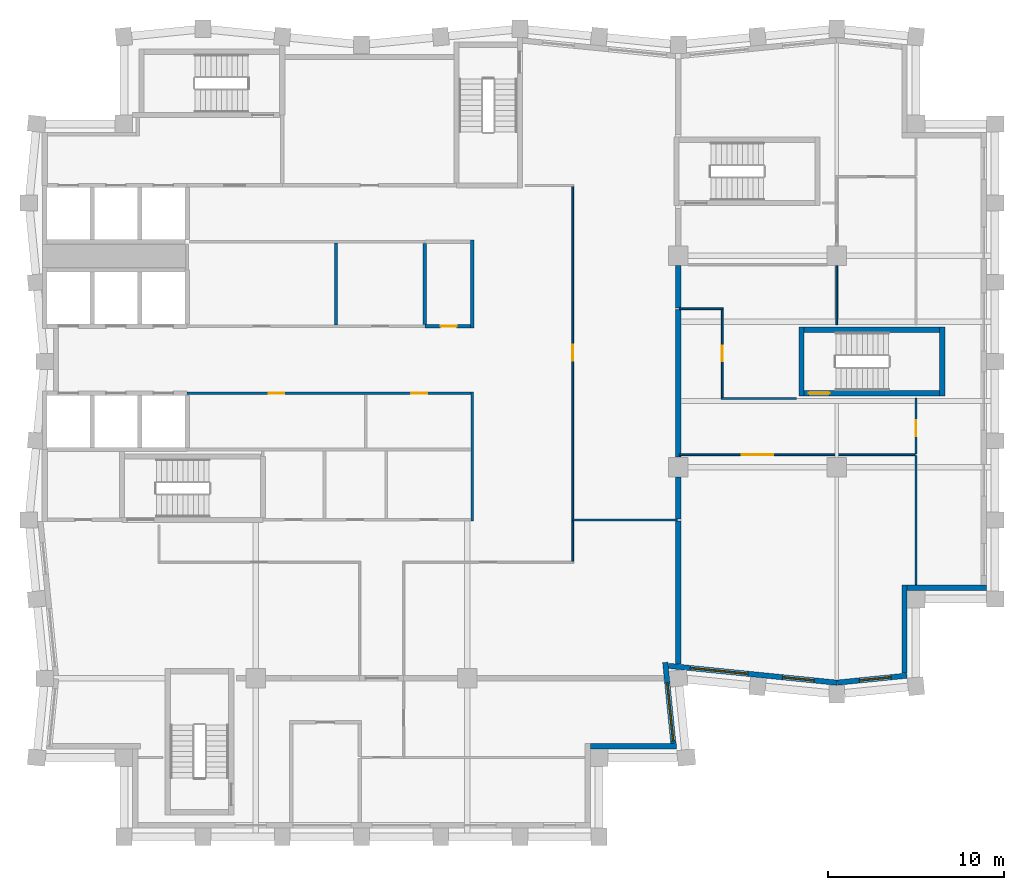
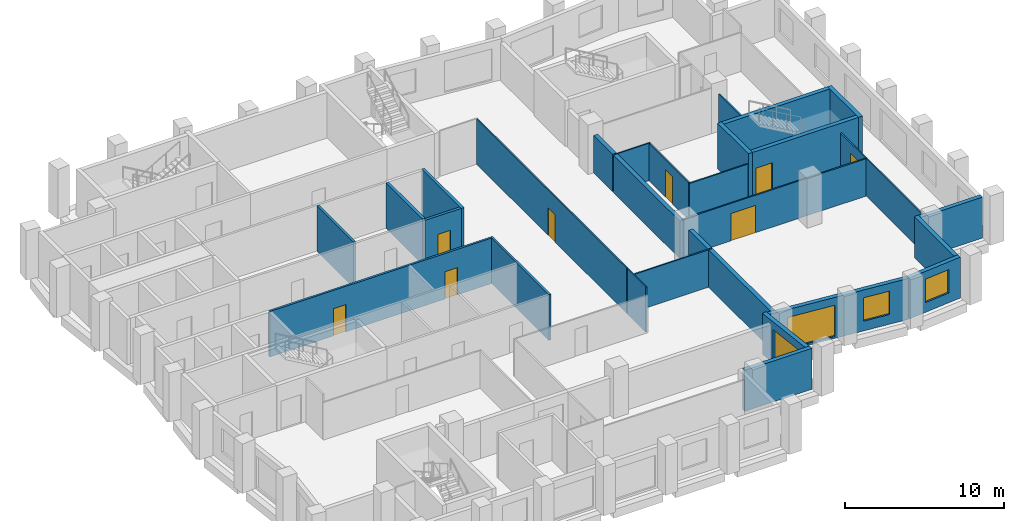
# One storey, part 4 of 8: 30 walls, 8 doors, 4 windows, 12 openings.
"""IFC4 building model written with IfcOpenShell, lengths in metres."""

from ifc_helpers import new_model, si_unit, direction, frame, frame_2d, origin, place, context, subcontext, project, spatial, rectangle, extrude, material, layer, layer_set, type_object, element, fill, save


model = new_model("IFC4")

# Units and contexts
model_context = context("Model", 3, precision=1e-05, world=origin(), true_north=direction((0.0, 1.0)))
body_context = subcontext(model_context, "Body", "Model", "MODEL_VIEW")
ifc_project = project(units=[si_unit("LENGTHUNIT", "METRE"), si_unit("AREAUNIT", "SQUARE_METRE"), si_unit("VOLUMEUNIT", "CUBIC_METRE"), si_unit("PLANEANGLEUNIT", "RADIAN"), si_unit("MASSUNIT", "GRAM", prefix="KILO")], contexts=[model_context])

# Site, building, storey
site_placement = place(None, origin())
site = spatial("IfcSite", under=ifc_project, at=site_placement, CompositionType="ELEMENT")
building_placement = place(site_placement, origin())
building = spatial("IfcBuilding", under=site, at=building_placement, Name="Brondeck Convention Tower", CompositionType="ELEMENT")
storey_placement = place(building_placement, frame((0.0, 0.0, 233.0)))
storey = spatial("IfcBuildingStorey", under=building, at=storey_placement, Name="L57", CompositionType="ELEMENT", Elevation=233.0)

# Walls
ifc_material_1 = material(Name="Concrete compartment wall C30/37", Category="concrete")
ifc_layer_1 = layer(ifc_material_1, 0.300048828125)
ifc_layer_set_1 = layer_set([ifc_layer_1], Name="Compartment wall 300")
wall_type_1 = type_object("IfcWallType", Name="Compartment wall 300", PredefinedType="PARTITIONING", material=ifc_layer_set_1)
wall_1_placement = place(storey_placement, frame((36.0, 27.823974609375, 0.0), z_axis=(0.0, 0.0, 1.0), x_axis=(0.0, 1.0, 0.0)))
element("IfcWall", 1, at=wall_1_placement, inside=storey, type_object=wall_type_1, Name="FLR-L57-W021", PredefinedType="PARTITIONING", context=body_context, shape_type="SweptSolid", body=[
    extrude(rectangle(XDim=8.12109375, YDim=0.300048828125, at=frame_2d((4.060546875, 0.0))), origin(), (0.0, 0.0, 1.0), 2.8798828125),
])
wall_2_placement = place(storey_placement, frame((36.0, 36.044921875, 0.0), z_axis=(0.0, 0.0, 1.0), x_axis=(0.0, 1.0, 0.0)))
element("IfcWall", 2, at=wall_2_placement, inside=storey, type_object=wall_type_1, Name="FLR-L57-W030", PredefinedType="PARTITIONING", context=body_context, shape_type="SweptSolid", body=[
    extrude(rectangle(XDim=2.400146484375, YDim=0.300048828125, at=frame_2d((1.2001953125, 0.0))), origin(), (0.0, 0.0, 1.0), 2.8798828125),
])
wall_3_placement = place(storey_placement, frame((36.0, 39.570068359375, 0.0), z_axis=(0.0, 0.0, 1.0), x_axis=(0.0, 1.0, 0.0)))
element("IfcWall", 3, at=wall_3_placement, inside=storey, type_object=wall_type_1, Name="FLR-L57-W032", PredefinedType="PARTITIONING", context=body_context, shape_type="SweptSolid", body=[
    extrude(rectangle(XDim=8.3798828125, YDim=0.300048828125, at=frame_2d((4.18994140625, 0.0))), origin(), (0.0, 0.0, 1.0), 2.8798828125),
])
wall_4_placement = place(storey_placement, frame((36.0, 48.050048828125, 0.0), z_axis=(0.0, 0.0, 1.0), x_axis=(0.0, 1.0, 0.0)))
element("IfcWall", 4, at=wall_4_placement, inside=storey, type_object=wall_type_1, Name="FLR-L57-W038", PredefinedType="PARTITIONING", context=body_context, shape_type="SweptSolid", body=[
    extrude(rectangle(XDim=2.39501953125, YDim=0.300048828125, at=frame_2d((1.197509765625, 0.0))), origin(), (0.0, 0.0, 1.0), 2.8798828125),
])
ifc_material_2 = material(Name="Concrete C50/60", Category="concrete")
ifc_layer_2 = layer(ifc_material_2, 0.199951171875)
ifc_layer_set_2 = layer_set([ifc_layer_2], Name="Core beam-seat wall 200 Concrete C50/60")
wall_type_2 = type_object("IfcWallType", Name="Core beam-seat wall 200 Concrete C50/60", PredefinedType="SHEAR", material=ifc_layer_set_2)
wall_5_placement = place(storey_placement, frame((24.300048828125, 46.89990234375, 0.0), z_axis=(0.0, 0.0, 1.0), x_axis=(0.0, 1.0, 0.0)))
element("IfcWall", 5, at=wall_5_placement, inside=storey, type_object=wall_type_2, Name="L57 core wall", PredefinedType="SHEAR", context=body_context, shape_type="SweptSolid", body=[
    extrude(rectangle(XDim=5.0, YDim=0.199951171875, at=frame_2d((2.5, 0.0))), origin(), (0.0, 0.0, 1.0), 3.5),
])

# Wall, openings, doors
ifc_material_3 = material(Name="Fire-rated gypsum board partition")
ifc_layer_3 = layer(ifc_material_3, 0.14990234375)
ifc_layer_set_3 = layer_set([ifc_layer_3], Name="Core partition 150 EI 60")
wall_type_3 = type_object("IfcWallType", Name="Core partition 150 EI 60", PredefinedType="PARTITIONING", material=ifc_layer_set_3)
wall_6_placement = place(storey_placement, frame((8.10009765625, 43.199951171875, 0.0), z_axis=(0.0, 0.0, 1.0), x_axis=(1.0, 0.0, 0.0)))
wall_6 = element("IfcWall", 6, at=wall_6_placement, inside=storey, type_object=wall_type_3, Name="L57 core wall", PredefinedType="PARTITIONING", context=body_context, shape_type="SweptSolid", body=[
    extrude(rectangle(XDim=16.125, YDim=0.14990234375, at=frame_2d((8.0625, 0.0))), origin(), (0.0, 0.0, 1.0), 3.5),
])
opening_1_placement = place(wall_6_placement, frame((4.625, 0.0, 0.0)))
opening_1 = element("IfcOpeningElement", 7, at=opening_1_placement, cuts=wall_6, Name="Opening C31-09", PredefinedType="OPENING", context=body_context, shape_type="SweptSolid", body=[
    extrude(rectangle(XDim=0.89990234375, YDim=2.10009765625, at=frame_2d((0.449951171875, 1.050048828125))), frame((0.0, 0.0849609375, 0.0), z_axis=(0.0, -1.0, 0.0), x_axis=(1.0, 0.0, 0.0)), (0.0, 0.0, 1.0), 0.169921875),
])
opening_2_placement = place(wall_6_placement, frame((12.72509765625, 0.0, 0.0)))
opening_2 = element("IfcOpeningElement", 8, at=opening_2_placement, cuts=wall_6, Name="Opening C31-10", PredefinedType="OPENING", context=body_context, shape_type="SweptSolid", body=[
    extrude(rectangle(XDim=0.89990234375, YDim=2.10009765625, at=frame_2d((0.449951171875, 1.050048828125))), frame((0.0, 0.0849609375, 0.0), z_axis=(0.0, -1.0, 0.0), x_axis=(1.0, 0.0, 0.0)), (0.0, 0.0, 1.0), 0.169921875),
])
ifc_material_4 = material(Name="Steel fire door", Category="steel")
door_type_1 = type_object("IfcDoorType", Name="Room door 900x2100 EI 60", OperationType="NOTDEFINED", PredefinedType="DOOR", material=ifc_material_4)
door_1_placement = place(opening_1_placement, origin())
door_1 = element("IfcDoor", 9, at=door_1_placement, inside=storey, type_object=door_type_1, Name="L57 Room door FZ-S-8.1-1", OperationType="SINGLE_SWING_RIGHT", OverallHeight=2.10009765625, OverallWidth=0.89990234375, PredefinedType="DOOR", context=body_context, shape_type="SweptSolid", body=[
    extrude(rectangle(XDim=0.89990234375, YDim=2.10009765625, at=frame_2d((0.449951171875, 1.050048828125))), frame((0.0, 0.02490234375, 0.0), z_axis=(0.0, -1.0, 0.0), x_axis=(1.0, 0.0, 0.0)), (0.0, 0.0, 1.0), 0.050048828125),
])
fill(opening_1, door_1)
door_2_placement = place(opening_2_placement, origin())
door_2 = element("IfcDoor", 10, at=door_2_placement, inside=storey, type_object=door_type_1, Name="L57 Room door FZ-S-8.1-2", OperationType="SINGLE_SWING_LEFT", OverallHeight=2.10009765625, OverallWidth=0.89990234375, PredefinedType="DOOR", context=body_context, shape_type="SweptSolid", body=[
    extrude(rectangle(XDim=0.89990234375, YDim=2.10009765625, at=frame_2d((0.449951171875, 1.050048828125))), frame((0.0, 0.02490234375, 0.0), z_axis=(0.0, -1.0, 0.0), x_axis=(1.0, 0.0, 0.0)), (0.0, 0.0, 1.0), 0.050048828125),
])
fill(opening_2, door_2)

# Walls
wall_7_placement = place(storey_placement, frame((16.550048828125, 47.074951171875, 0.0), z_axis=(0.0, 0.0, 1.0), x_axis=(0.0, 1.0, 0.0)))
element("IfcWall", 11, at=wall_7_placement, inside=storey, type_object=wall_type_3, Name="L57 core wall", PredefinedType="PARTITIONING", context=body_context, shape_type="SweptSolid", body=[
    extrude(rectangle(XDim=4.650146484375, YDim=0.14990234375, at=frame_2d((2.3251953125, 0.0))), origin(), (0.0, 0.0, 1.0), 3.5),
])
wall_8_placement = place(storey_placement, frame((24.300048828125, 35.925048828125, 0.0), z_axis=(0.0, 0.0, 1.0), x_axis=(0.0, 1.0, 0.0)))
element("IfcWall", 12, at=wall_8_placement, inside=storey, type_object=wall_type_3, Name="L57 core wall", PredefinedType="PARTITIONING", context=body_context, shape_type="SweptSolid", body=[
    extrude(rectangle(XDim=7.349853515625, YDim=0.14990234375, at=frame_2d((3.6748046875, 0.0))), origin(), (0.0, 0.0, 1.0), 3.5),
])
ifc_material_5 = material(Name="Precast concrete C50/60 bronze finish", Category="concrete")
ifc_layer_4 = layer(ifc_material_5, 0.070068359375, Name="Bronze precast facing")
ifc_material_6 = material(Name="Mineral wool")
ifc_layer_5 = layer(ifc_material_6, 0.159912109375, Name="Insulation")
ifc_material_7 = material(Name="Concrete C35/45", Category="concrete")
ifc_layer_6 = layer(ifc_material_7, 0.070068359375, Name="Backing")
ifc_layer_set_4 = layer_set([ifc_layer_4, ifc_layer_5, ifc_layer_6], Name="External infill wall, precast concrete C50/60 bronze facing")
wall_type_4 = type_object("IfcWallType", Name="External infill wall, precast concrete C50/60 bronze facing", PredefinedType="SOLIDWALL", material=ifc_layer_set_4)
wall_9_placement = place(storey_placement, frame((35.8974609375, 23.14990234375, 0.0), z_axis=(0.0, 0.0, 1.0), x_axis=(-1.0, 0.0, 0.0)))
element("IfcWall", 13, at=wall_9_placement, inside=storey, type_object=wall_type_4, Name="ENV-EW-L57-P2-NC-SEB18-02", PredefinedType="SOLIDWALL", context=body_context, shape_type="SweptSolid", body=[
    extrude(rectangle(XDim=4.8974609375, YDim=0.300048828125, at=frame_2d((2.44873046875, 0.0))), origin(), (0.0, 0.0, 1.0), 3.14990234375),
])

# Wall, opening, window
wall_10_placement = place(storey_placement, frame((35.255859375, 27.908203125, 0.0), z_axis=(0.0, 0.0, 1.0), x_axis=(0.099535070904, -0.995034054523, 0.0)))
wall_10 = element("IfcWall", 14, at=wall_10_placement, inside=storey, type_object=wall_type_4, Name="ENV-EW-L57-P2-B-E-00", PredefinedType="SOLIDWALL", context=body_context, shape_type="SweptSolid", body=[
    extrude(rectangle(XDim=4.6259765625, YDim=0.300048828125, at=frame_2d((2.31298828125, 0.0))), origin(), (0.0, 0.0, 1.0), 3.14990234375),
])
opening_3_placement = place(wall_10_placement, frame((1.176025390625, 0.0, 0.14990234375)))
opening_3 = element("IfcOpeningElement", 15, at=opening_3_placement, cuts=wall_10, Name="Opening W9", PredefinedType="OPENING", context=body_context, shape_type="SweptSolid", body=[
    extrude(rectangle(XDim=3.300048828125, YDim=2.39990234375, at=frame_2d((1.64990234375, 1.199951171875))), frame((0.0, 0.159912109375, 0.0), z_axis=(0.0, -1.0, 0.0), x_axis=(1.0, 0.0, 0.0)), (0.0, 0.0, 1.0), 0.320068359375),
])
ifc_material_8 = material(Name="Bronze tinted double glazing", Category="glass")
window_type_1 = type_object("IfcWindowType", Name="Glazed flute window, bronze tinted", PartitioningType="SINGLE_PANEL", PredefinedType="WINDOW", material=ifc_material_8)
window_1_placement = place(opening_3_placement, origin())
window_1 = element("IfcWindow", 16, at=window_1_placement, inside=storey, type_object=window_type_1, Name="ENV-WN-L57-P2-B-E-00", OverallHeight=2.39990234375, OverallWidth=3.300048828125, PartitioningType="SINGLE_PANEL", PredefinedType="WINDOW", context=body_context, shape_type="SweptSolid", body=[
    extrude(rectangle(XDim=3.300048828125, YDim=2.39990234375, at=frame_2d((1.64990234375, 1.199951171875))), frame((0.0, 0.030029296875, 0.0), z_axis=(0.0, -1.0, 0.0), x_axis=(1.0, 0.0, 0.0)), (0.0, 0.0, 1.0), 0.06005859375),
])
fill(opening_3, window_1)

# Wall, openings, windows
wall_11_placement = place(storey_placement, frame((45.014892578125, 26.751708984375, 0.0), z_axis=(0.0, 0.0, 1.0), x_axis=(-0.9950379439, 0.099496181828, 0.0)))
wall_11 = element("IfcWall", 17, at=wall_11_placement, inside=storey, type_object=wall_type_4, Name="ENV-EW-L57-P2-A-S-00", PredefinedType="SOLIDWALL", context=body_context, shape_type="SweptSolid", body=[
    extrude(rectangle(XDim=9.621337890625, YDim=0.300048828125, at=frame_2d((4.810546875, 0.0))), origin(), (0.0, 0.0, 1.0), 3.14990234375),
])
opening_4_placement = place(wall_11_placement, frame((1.311279296875, 0.0, 0.75)))
opening_4 = element("IfcOpeningElement", 18, at=opening_4_placement, cuts=wall_11, Name="Opening W10", PredefinedType="OPENING", context=body_context, shape_type="SweptSolid", body=[
    extrude(rectangle(XDim=1.800048828125, YDim=1.800048828125, at=frame_2d((0.89990234375, 0.89990234375))), frame((0.0, 0.159912109375, 0.0), z_axis=(0.0, -1.0, 0.0), x_axis=(1.0, 0.0, 0.0)), (0.0, 0.0, 1.0), 0.320068359375),
])
opening_5_placement = place(wall_11_placement, frame((5.08349609375, 0.0, 0.14990234375)))
opening_5 = element("IfcOpeningElement", 19, at=opening_5_placement, cuts=wall_11, Name="Opening W9", PredefinedType="OPENING", context=body_context, shape_type="SweptSolid", body=[
    extrude(rectangle(XDim=3.300048828125, YDim=2.39990234375, at=frame_2d((1.64990234375, 1.199951171875))), frame((0.0, 0.159912109375, 0.0), z_axis=(0.0, -1.0, 0.0), x_axis=(1.0, 0.0, 0.0)), (0.0, 0.0, 1.0), 0.320068359375),
])
window_2_placement = place(opening_5_placement, origin())
window_2 = element("IfcWindow", 20, at=window_2_placement, inside=storey, type_object=window_type_1, Name="ENV-WN-L57-P2-A-S-00", OverallHeight=2.39990234375, OverallWidth=3.300048828125, PartitioningType="SINGLE_PANEL", PredefinedType="WINDOW", context=body_context, shape_type="SweptSolid", body=[
    extrude(rectangle(XDim=3.300048828125, YDim=2.39990234375, at=frame_2d((1.64990234375, 1.199951171875))), frame((0.0, 0.030029296875, 0.0), z_axis=(0.0, -1.0, 0.0), x_axis=(1.0, 0.0, 0.0)), (0.0, 0.0, 1.0), 0.06005859375),
])
fill(opening_5, window_2)
window_type_2 = type_object("IfcWindowType", Name="Punched window, bronze tinted", PartitioningType="SINGLE_PANEL", PredefinedType="WINDOW", material=ifc_material_8)
window_3_placement = place(opening_4_placement, origin())
window_3 = element("IfcWindow", 21, at=window_3_placement, inside=storey, type_object=window_type_2, Name="ENV-WN-L57-P2-A-S-01", OverallHeight=1.800048828125, OverallWidth=1.800048828125, PartitioningType="SINGLE_PANEL", PredefinedType="WINDOW", context=body_context, shape_type="SweptSolid", body=[
    extrude(rectangle(XDim=1.800048828125, YDim=1.800048828125, at=frame_2d((0.89990234375, 0.89990234375))), frame((0.0, 0.030029296875, 0.0), z_axis=(0.0, -1.0, 0.0), x_axis=(1.0, 0.0, 0.0)), (0.0, 0.0, 1.0), 0.06005859375),
])
fill(opening_4, window_3)

# Wall, opening, window
wall_12_placement = place(storey_placement, frame((48.985107421875, 27.151611328125, 0.0), z_axis=(0.0, 0.0, 1.0), x_axis=(-0.995037798293, -0.099497638, 0.0)))
wall_12 = element("IfcWall", 22, at=wall_12_placement, inside=storey, type_object=wall_type_4, Name="ENV-EW-L57-P2-A-S-02", PredefinedType="SOLIDWALL", context=body_context, shape_type="SweptSolid", body=[
    extrude(rectangle(XDim=3.97509765625, YDim=0.300048828125, at=frame_2d((1.987548828125, 0.0))), origin(), (0.0, 0.0, 1.0), 3.14990234375),
])
opening_6_placement = place(wall_12_placement, frame((0.90869140625, 0.0, 0.75)))
opening_6 = element("IfcOpeningElement", 23, at=opening_6_placement, cuts=wall_12, Name="Opening W10", PredefinedType="OPENING", context=body_context, shape_type="SweptSolid", body=[
    extrude(rectangle(XDim=1.800048828125, YDim=1.800048828125, at=frame_2d((0.89990234375, 0.89990234375))), frame((0.0, 0.159912109375, 0.0), z_axis=(0.0, -1.0, 0.0), x_axis=(1.0, 0.0, 0.0)), (0.0, 0.0, 1.0), 0.320068359375),
])
window_4_placement = place(opening_6_placement, origin())
window_4 = element("IfcWindow", 24, at=window_4_placement, inside=storey, type_object=window_type_2, Name="ENV-WN-L57-P2-A-S-02", OverallHeight=1.800048828125, OverallWidth=1.800048828125, PartitioningType="SINGLE_PANEL", PredefinedType="WINDOW", context=body_context, shape_type="SweptSolid", body=[
    extrude(rectangle(XDim=1.800048828125, YDim=1.800048828125, at=frame_2d((0.89990234375, 0.89990234375))), frame((0.0, 0.030029296875, 0.0), z_axis=(0.0, -1.0, 0.0), x_axis=(1.0, 0.0, 0.0)), (0.0, 0.0, 1.0), 0.06005859375),
])
fill(opening_6, window_4)

# Walls
wall_13_placement = place(storey_placement, frame((48.85009765625, 32.300048828125, 0.0), z_axis=(0.0, 0.0, 1.0), x_axis=(0.0, -1.0, 0.0)))
element("IfcWall", 25, at=wall_13_placement, inside=storey, type_object=wall_type_4, Name="ENV-EW-L57-P2-NC-SEA54-01", PredefinedType="SOLIDWALL", context=body_context, shape_type="SweptSolid", body=[
    extrude(rectangle(XDim=5.009765625, YDim=0.300048828125, at=frame_2d((2.5048828125, 0.0))), origin(), (0.0, 0.0, 1.0), 3.14990234375),
])
wall_14_placement = place(storey_placement, frame((53.5, 32.14990234375, 0.0), z_axis=(0.0, 0.0, 1.0), x_axis=(-1.0, 0.0, 0.0)))
element("IfcWall", 26, at=wall_14_placement, inside=storey, type_object=wall_type_4, Name="ENV-EW-L57-P2-NC-SEA54-02", PredefinedType="SOLIDWALL", context=body_context, shape_type="SweptSolid", body=[
    extrude(rectangle(XDim=4.501953125, YDim=0.300048828125, at=frame_2d((2.2509765625, 0.0))), origin(), (0.0, 0.0, 1.0), 3.14990234375),
])

# Wall, opening, door
ifc_layer_7 = layer(ifc_material_3, 0.199951171875)
ifc_layer_set_5 = layer_set([ifc_layer_7], Name="Riser wall 200 EI 120")
wall_type_5 = type_object("IfcWallType", Name="Riser wall 200 EI 120", PredefinedType="PARTITIONING", material=ifc_layer_set_5)
wall_15_placement = place(storey_placement, frame((21.60009765625, 47.0, 0.0), z_axis=(0.0, 0.0, 1.0), x_axis=(1.0, 0.0, 0.0)))
wall_15 = element("IfcWall", 27, at=wall_15_placement, inside=storey, type_object=wall_type_5, Name="L57 core wall", PredefinedType="PARTITIONING", context=body_context, shape_type="SweptSolid", body=[
    extrude(rectangle(XDim=2.599853515625, YDim=0.199951171875, at=frame_2d((1.2998046875, 0.0))), origin(), (0.0, 0.0, 1.0), 3.5),
])
opening_7_placement = place(wall_15_placement, frame((0.89990234375, 0.0, 0.0)))
opening_7 = element("IfcOpeningElement", 28, at=opening_7_placement, cuts=wall_15, Name="Opening C31-02", PredefinedType="OPENING", context=body_context, shape_type="SweptSolid", body=[
    extrude(rectangle(XDim=0.89990234375, YDim=2.10009765625, at=frame_2d((0.449951171875, 1.050048828125))), frame((0.0, 0.10986328125, 0.0), z_axis=(0.0, -1.0, 0.0), x_axis=(1.0, 0.0, 0.0)), (0.0, 0.0, 1.0), 0.219970703125),
])
door_type_2 = type_object("IfcDoorType", Name="Riser door 900x2100 EI 120", OperationType="NOTDEFINED", PredefinedType="DOOR", material=ifc_material_4)
door_3_placement = place(opening_7_placement, origin())
door_3 = element("IfcDoor", 29, at=door_3_placement, inside=storey, type_object=door_type_2, Name="L57 Riser door EN-1", OperationType="SINGLE_SWING_LEFT", OverallHeight=2.10009765625, OverallWidth=0.89990234375, PredefinedType="DOOR", context=body_context, shape_type="SweptSolid", body=[
    extrude(rectangle(XDim=0.89990234375, YDim=2.10009765625, at=frame_2d((0.449951171875, 1.050048828125))), frame((0.0, 0.02490234375, 0.0), z_axis=(0.0, -1.0, 0.0), x_axis=(1.0, 0.0, 0.0)), (0.0, 0.0, 1.0), 0.050048828125),
])
fill(opening_7, door_3)

# Walls
wall_16_placement = place(storey_placement, frame((21.60009765625, 47.10009765625, 0.0), z_axis=(0.0, 0.0, 1.0), x_axis=(0.0, 1.0, 0.0)))
element("IfcWall", 30, at=wall_16_placement, inside=storey, type_object=wall_type_5, Name="L57 core wall", PredefinedType="PARTITIONING", context=body_context, shape_type="SweptSolid", body=[
    extrude(rectangle(XDim=4.599853515625, YDim=0.199951171875, at=frame_2d((2.2998046875, 0.0))), origin(), (0.0, 0.0, 1.0), 3.5),
])
ifc_material_9 = material(Name="Gypsum board partition on steel studs", Category="steel")
ifc_layer_8 = layer(ifc_material_9, 0.10009765625)
ifc_layer_set_6 = layer_set([ifc_layer_8], Name="Room partition 100")
wall_type_6 = type_object("IfcWallType", Name="Room partition 100", PredefinedType="PARTITIONING", material=ifc_layer_set_6)
wall_17_placement = place(storey_placement, frame((49.5, 32.320068359375, 0.0), z_axis=(0.0, 0.0, 1.0), x_axis=(0.0, 1.0, 0.0)))
element("IfcWall", 31, at=wall_17_placement, inside=storey, type_object=wall_type_6, Name="FLR-L57-W023", PredefinedType="PARTITIONING", context=body_context, shape_type="SweptSolid", body=[
    extrude(rectangle(XDim=7.329833984375, YDim=0.10009765625, at=frame_2d((3.6650390625, 0.0))), origin(), (0.0, 0.0, 1.0), 2.8798828125),
])
wall_18_placement = place(storey_placement, frame((30.0, 35.945068359375, 0.0), z_axis=(0.0, 0.0, 1.0), x_axis=(0.0, -1.0, 0.0)))
element("IfcWall", 32, at=wall_18_placement, inside=storey, type_object=wall_type_6, Name="FLR-L57-W028", PredefinedType="PARTITIONING", context=body_context, shape_type="SweptSolid", body=[
    extrude(rectangle(XDim=2.295166015625, YDim=0.10009765625, at=frame_2d((1.1474609375, 0.0))), origin(), (0.0, 0.0, 1.0), 3.47998046875),
])
wall_19_placement = place(storey_placement, frame((29.949951171875, 35.9951171875, 0.0), z_axis=(0.0, 0.0, 1.0), x_axis=(1.0, 0.0, 0.0)))
element("IfcWall", 33, at=wall_19_placement, inside=storey, type_object=wall_type_6, Name="FLR-L57-W029", PredefinedType="PARTITIONING", context=body_context, shape_type="SweptSolid", body=[
    extrude(rectangle(XDim=6.0, YDim=0.10009765625, at=frame_2d((3.0, 0.0))), origin(), (0.0, 0.0, 1.0), 2.8798828125),
])

# Wall, opening, door
wall_20_placement = place(storey_placement, frame((49.449951171875, 39.699951171875, 0.0), z_axis=(0.0, 0.0, 1.0), x_axis=(-1.0, 0.0, 0.0)))
wall_20 = element("IfcWall", 34, at=wall_20_placement, inside=storey, type_object=wall_type_6, Name="FLR-L57-W031", PredefinedType="PARTITIONING", context=body_context, shape_type="SweptSolid", body=[
    extrude(rectangle(XDim=13.39990234375, YDim=0.10009765625, at=frame_2d((6.699951171875, 0.0))), origin(), (0.0, 0.0, 1.0), 2.8798828125),
])
opening_8_placement = place(wall_20_placement, frame((8.050048828125, 0.0, 0.0)))
opening_8 = element("IfcOpeningElement", 35, at=opening_8_placement, cuts=wall_20, Name="Opening OF-N-004", PredefinedType="OPENING", context=body_context, shape_type="SweptSolid", body=[
    extrude(rectangle(XDim=1.800048828125, YDim=2.10009765625, at=frame_2d((0.89990234375, 1.050048828125))), frame((0.0, 0.06005859375, 0.0), z_axis=(0.0, -1.0, 0.0), x_axis=(1.0, 0.0, 0.0)), (0.0, 0.0, 1.0), 0.1201171875),
])
ifc_material_10 = material(Name="Glazed timber double door", Category="wood")
door_type_3 = type_object("IfcDoorType", Name="Double door 1800", OperationType="DOUBLE_DOOR_SINGLE_SWING", PredefinedType="DOOR", material=ifc_material_10)
door_4_placement = place(opening_8_placement, origin())
door_4 = element("IfcDoor", 36, at=door_4_placement, inside=storey, type_object=door_type_3, Name="Door OF-N-004", OperationType="DOUBLE_DOOR_SINGLE_SWING", OverallHeight=2.10009765625, OverallWidth=1.800048828125, PredefinedType="DOOR", context=body_context, shape_type="SweptSolid", body=[
    extrude(rectangle(XDim=1.800048828125, YDim=2.10009765625, at=frame_2d((0.89990234375, 1.050048828125))), frame((0.0, 0.02490234375, 0.0), z_axis=(0.0, -1.0, 0.0), x_axis=(1.0, 0.0, 0.0)), (0.0, 0.0, 1.0), 0.050048828125),
])
fill(opening_8, door_4)

# Wall
wall_21_placement = place(storey_placement, frame((38.449951171875, 42.89990234375, 0.0), z_axis=(0.0, 0.0, 1.0), x_axis=(1.0, 0.0, 0.0)))
element("IfcWall", 37, at=wall_21_placement, inside=storey, type_object=wall_type_6, Name="FLR-L57-W033", PredefinedType="PARTITIONING", context=body_context, shape_type="SweptSolid", body=[
    extrude(rectangle(XDim=4.25, YDim=0.10009765625, at=frame_2d((2.125, 0.0))), origin(), (0.0, 0.0, 1.0), 2.8798828125),
])

# Wall, opening, door
wall_22_placement = place(storey_placement, frame((49.5, 42.89990234375, 0.0), z_axis=(0.0, 0.0, 1.0), x_axis=(0.0, -1.0, 0.0)))
wall_22 = element("IfcWall", 38, at=wall_22_placement, inside=storey, type_object=wall_type_6, Name="FLR-L57-W034", PredefinedType="PARTITIONING", context=body_context, shape_type="SweptSolid", body=[
    extrude(rectangle(XDim=3.14990234375, YDim=0.10009765625, at=frame_2d((1.574951171875, 0.0))), origin(), (0.0, 0.0, 1.0), 2.8798828125),
])
opening_9_placement = place(wall_22_placement, frame((1.25, 0.0, 0.0)))
opening_9 = element("IfcOpeningElement", 39, at=opening_9_placement, cuts=wall_22, Name="Opening OF-N-003", PredefinedType="OPENING", context=body_context, shape_type="SweptSolid", body=[
    extrude(rectangle(XDim=0.89990234375, YDim=2.10009765625, at=frame_2d((0.449951171875, 1.050048828125))), frame((0.0, 0.06005859375, 0.0), z_axis=(0.0, -1.0, 0.0), x_axis=(1.0, 0.0, 0.0)), (0.0, 0.0, 1.0), 0.1201171875),
])
ifc_material_11 = material(Name="Solid timber door leaf", Category="wood")
door_type_4 = type_object("IfcDoorType", Name="Single door 900", OperationType="NOTDEFINED", PredefinedType="DOOR", material=ifc_material_11)
door_5_placement = place(opening_9_placement, origin())
door_5 = element("IfcDoor", 40, at=door_5_placement, inside=storey, type_object=door_type_4, Name="Door OF-N-003", OperationType="SINGLE_SWING_LEFT", OverallHeight=2.10009765625, OverallWidth=0.89990234375, PredefinedType="DOOR", context=body_context, shape_type="SweptSolid", body=[
    extrude(rectangle(XDim=0.89990234375, YDim=2.10009765625, at=frame_2d((0.449951171875, 1.050048828125))), frame((0.0, 0.02490234375, 0.0), z_axis=(0.0, -1.0, 0.0), x_axis=(1.0, 0.0, 0.0)), (0.0, 0.0, 1.0), 0.050048828125),
])
fill(opening_9, door_5)

wall_23_placement = place(storey_placement, frame((38.5, 47.949951171875, 0.0), z_axis=(0.0, 0.0, 1.0), x_axis=(0.0, -1.0, 0.0)))
wall_23 = element("IfcWall", 41, at=wall_23_placement, inside=storey, type_object=wall_type_6, Name="FLR-L57-W036", PredefinedType="PARTITIONING", context=body_context, shape_type="SweptSolid", body=[
    extrude(rectangle(XDim=5.0, YDim=0.10009765625, at=frame_2d((2.5, 0.0))), origin(), (0.0, 0.0, 1.0), 2.8798828125),
])
opening_10_placement = place(wall_23_placement, frame((2.050048828125, 0.0, 0.0)))
opening_10 = element("IfcOpeningElement", 42, at=opening_10_placement, cuts=wall_23, Name="Opening OF-N-001", PredefinedType="OPENING", context=body_context, shape_type="SweptSolid", body=[
    extrude(rectangle(XDim=0.89990234375, YDim=2.10009765625, at=frame_2d((0.449951171875, 1.050048828125))), frame((0.0, 0.06005859375, 0.0), z_axis=(0.0, -1.0, 0.0), x_axis=(1.0, 0.0, 0.0)), (0.0, 0.0, 1.0), 0.1201171875),
])
door_6_placement = place(opening_10_placement, origin())
door_6 = element("IfcDoor", 43, at=door_6_placement, inside=storey, type_object=door_type_4, Name="Door OF-N-001", OperationType="SINGLE_SWING_RIGHT", OverallHeight=2.10009765625, OverallWidth=0.89990234375, PredefinedType="DOOR", context=body_context, shape_type="SweptSolid", body=[
    extrude(rectangle(XDim=0.89990234375, YDim=2.10009765625, at=frame_2d((0.449951171875, 1.050048828125))), frame((0.0, 0.02490234375, 0.0), z_axis=(0.0, -1.0, 0.0), x_axis=(1.0, 0.0, 0.0)), (0.0, 0.0, 1.0), 0.050048828125),
])
fill(opening_10, door_6)

# Walls
wall_24_placement = place(storey_placement, frame((36.050048828125, 48.0, 0.0), z_axis=(0.0, 0.0, 1.0), x_axis=(1.0, 0.0, 0.0)))
element("IfcWall", 44, at=wall_24_placement, inside=storey, type_object=wall_type_6, Name="FLR-L57-W037", PredefinedType="PARTITIONING", context=body_context, shape_type="SweptSolid", body=[
    extrude(rectangle(XDim=2.5, YDim=0.10009765625, at=frame_2d((1.25, 0.0))), origin(), (0.0, 0.0, 1.0), 2.8798828125),
])
wall_25_placement = place(storey_placement, frame((45.0, 50.445068359375, 0.0), z_axis=(0.0, 0.0, 1.0), x_axis=(0.0, -1.0, 0.0)))
element("IfcWall", 45, at=wall_25_placement, inside=storey, type_object=wall_type_6, Name="FLR-L57-W039", PredefinedType="PARTITIONING", context=body_context, shape_type="SweptSolid", body=[
    extrude(rectangle(XDim=3.344970703125, YDim=0.10009765625, at=frame_2d((1.67236328125, 0.0))), origin(), (0.0, 0.0, 1.0), 2.8798828125),
])

# Wall, opening, door
wall_26_placement = place(storey_placement, frame((30.0, 54.949951171875, 0.0), z_axis=(0.0, 0.0, 1.0), x_axis=(0.0, -1.0, 0.0)))
wall_26 = element("IfcWall", 46, at=wall_26_placement, inside=storey, type_object=wall_type_6, Name="FLR-L57-W045", PredefinedType="PARTITIONING", context=body_context, shape_type="SweptSolid", body=[
    extrude(rectangle(XDim=18.889892578125, YDim=0.10009765625, at=frame_2d((9.44482421875, 0.0))), origin(), (0.0, 0.0, 1.0), 3.47998046875),
])
opening_11_placement = place(wall_26_placement, frame((9.0, 0.0, 0.0)))
opening_11 = element("IfcOpeningElement", 47, at=opening_11_placement, cuts=wall_26, Name="Opening OF-N-011", PredefinedType="OPENING", context=body_context, shape_type="SweptSolid", body=[
    extrude(rectangle(XDim=0.89990234375, YDim=2.10009765625, at=frame_2d((0.449951171875, 1.050048828125))), frame((0.0, 0.06005859375, 0.0), z_axis=(0.0, -1.0, 0.0), x_axis=(1.0, 0.0, 0.0)), (0.0, 0.0, 1.0), 0.1201171875),
])
door_7_placement = place(opening_11_placement, origin())
door_7 = element("IfcDoor", 48, at=door_7_placement, inside=storey, type_object=door_type_4, Name="Door OF-N-011", OperationType="SINGLE_SWING_LEFT", OverallHeight=2.10009765625, OverallWidth=0.89990234375, PredefinedType="DOOR", context=body_context, shape_type="SweptSolid", body=[
    extrude(rectangle(XDim=0.89990234375, YDim=2.10009765625, at=frame_2d((0.449951171875, 1.050048828125))), frame((0.0, 0.02490234375, 0.0), z_axis=(0.0, -1.0, 0.0), x_axis=(1.0, 0.0, 0.0)), (0.0, 0.0, 1.0), 0.050048828125),
])
fill(opening_11, door_7)

ifc_layer_9 = layer(ifc_material_2, 0.300048828125)
ifc_layer_set_7 = layer_set([ifc_layer_9], Name="Stair enclosure wall 300 Concrete C50/60")
wall_type_7 = type_object("IfcWallType", Name="Stair enclosure wall 300 Concrete C50/60", PredefinedType="SHEAR", material=ifc_layer_set_7)
wall_27_placement = place(storey_placement, frame((43.14990234375, 43.199951171875, 0.0), z_axis=(0.0, 0.0, 1.0), x_axis=(1.0, 0.0, 0.0)))
wall_27 = element("IfcWall", 49, at=wall_27_placement, inside=storey, type_object=wall_type_7, Name="L57 core wall", PredefinedType="SHEAR", context=body_context, shape_type="SweptSolid", body=[
    extrude(rectangle(XDim=7.7001953125, YDim=0.300048828125, at=frame_2d((3.85009765625, 0.0))), origin(), (0.0, 0.0, 1.0), 3.5),
])
opening_12_placement = place(wall_27_placement, frame((0.25, 0.0, 0.0)))
opening_12 = element("IfcOpeningElement", 50, at=opening_12_placement, cuts=wall_27, Name="Opening C31-16", PredefinedType="OPENING", context=body_context, shape_type="SweptSolid", body=[
    extrude(rectangle(XDim=1.199951171875, YDim=2.199951171875, at=frame_2d((0.60009765625, 1.10009765625))), frame((0.0, 0.159912109375, 0.0), z_axis=(0.0, -1.0, 0.0), x_axis=(1.0, 0.0, 0.0)), (0.0, 0.0, 1.0), 0.320068359375),
])
door_type_5 = type_object("IfcDoorType", Name="Stair door 1200x2200 EI 90", OperationType="NOTDEFINED", PredefinedType="DOOR", material=ifc_material_4)
door_8_placement = place(opening_12_placement, origin())
door_8 = element("IfcDoor", 51, at=door_8_placement, inside=storey, type_object=door_type_5, Name="L57 Stair door ST-AF", OperationType="SINGLE_SWING_RIGHT", OverallHeight=2.199951171875, OverallWidth=1.199951171875, PredefinedType="DOOR", context=body_context, shape_type="SweptSolid", body=[
    extrude(rectangle(XDim=1.199951171875, YDim=2.199951171875, at=frame_2d((0.60009765625, 1.10009765625))), frame((0.0, 0.02490234375, 0.0), z_axis=(0.0, -1.0, 0.0), x_axis=(1.0, 0.0, 0.0)), (0.0, 0.0, 1.0), 0.050048828125),
])
fill(opening_12, door_8)

# Walls
wall_28_placement = place(storey_placement, frame((43.14990234375, 46.800048828125, 0.0), z_axis=(0.0, 0.0, 1.0), x_axis=(1.0, 0.0, 0.0)))
element("IfcWall", 52, at=wall_28_placement, inside=storey, type_object=wall_type_7, Name="L57 core wall", PredefinedType="SHEAR", context=body_context, shape_type="SweptSolid", body=[
    extrude(rectangle(XDim=7.7001953125, YDim=0.300048828125, at=frame_2d((3.85009765625, 0.0))), origin(), (0.0, 0.0, 1.0), 3.5),
])
for number, where, z_axis, x_axis, name in (
    (53, (43.0, 43.050048828125, 0.0), (0.0, 0.0, 1.0), (0.0, 1.0, 0.0), "L57 core wall"),
    (54, (51.0, 43.050048828125, 0.0), (0.0, 0.0, 1.0), (0.0, 1.0, 0.0), "L57 core wall"),
):
    element("IfcWall", number, at=place(storey_placement, frame(where, z_axis=z_axis, x_axis=x_axis)), inside=storey, type_object=wall_type_7, Name=name, PredefinedType="SHEAR", context=body_context, shape_type="SweptSolid", body=[
        extrude(rectangle(XDim=3.89990234375, YDim=0.300048828125, at=frame_2d((1.949951171875, 0.0))), origin(), (0.0, 0.0, 1.0), 3.5),
    ])

save(model, "model.ifc")
